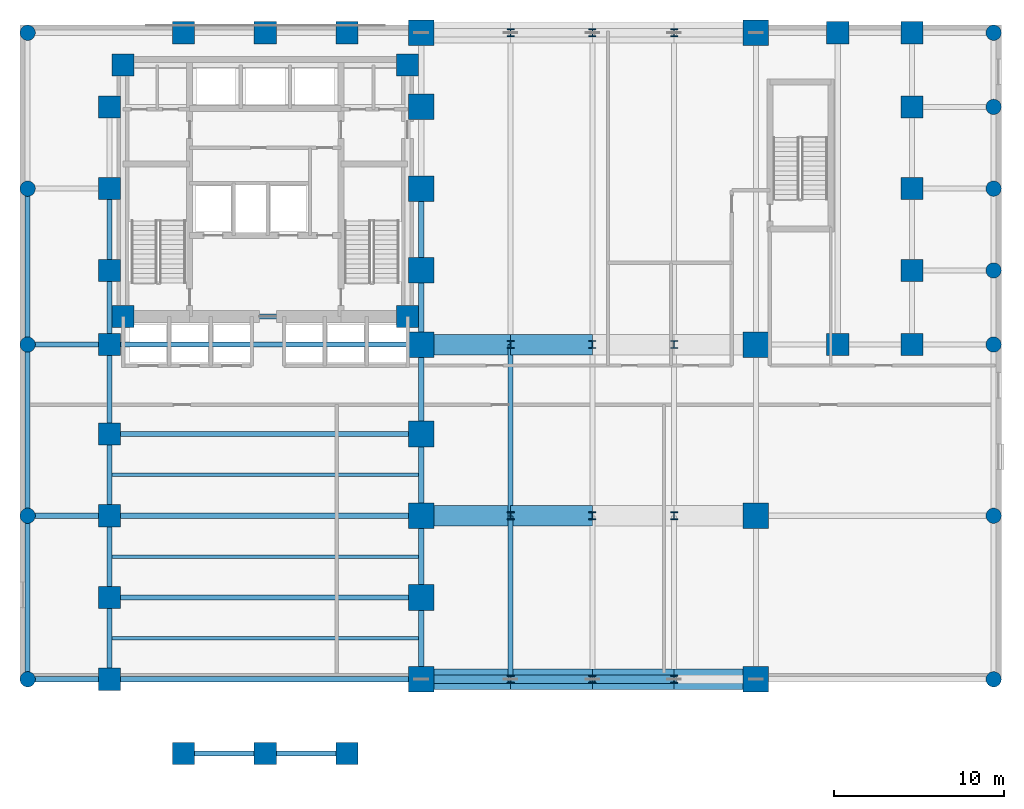
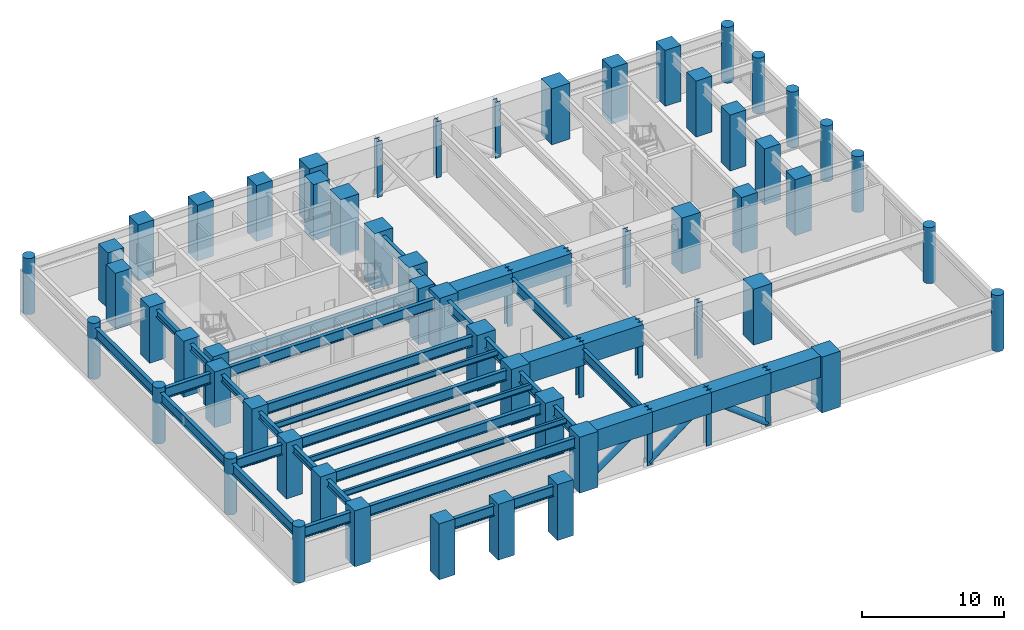
# One storey, part 1 of 8: 62 columns, 39 beams, 3 members.
"""IFC4 building model written with IfcOpenShell, lengths in metres."""

from ifc_helpers import new_model, si_unit, direction, frame, origin, origin_2d, place, context, subcontext, project, spatial, rectangle, circle, hollow_circle, i_section, extrude, material, material_profile, profile_set, type_object, element, save


model = new_model("IFC4")

# Units and contexts
model_context = context("Model", 3, precision=1e-05, world=origin(), true_north=direction((0.0, 1.0)))
body_context = subcontext(model_context, "Body", "Model", "MODEL_VIEW")
ifc_project = project(units=[si_unit("LENGTHUNIT", "METRE"), si_unit("AREAUNIT", "SQUARE_METRE"), si_unit("VOLUMEUNIT", "CUBIC_METRE"), si_unit("PLANEANGLEUNIT", "RADIAN"), si_unit("MASSUNIT", "GRAM", prefix="KILO")], contexts=[model_context])

# Site, building, storey
site_placement = place(None, origin())
site = spatial("IfcSite", under=ifc_project, at=site_placement, CompositionType="ELEMENT")
building_placement = place(site_placement, origin())
building = spatial("IfcBuilding", under=site, at=building_placement, Name="Orvandelia Arch Residences", CompositionType="ELEMENT")
storey_placement = place(building_placement, frame((0.0, 0.0, 14.800048828125)))
storey = spatial("IfcBuildingStorey", under=building, at=storey_placement, Name="L03", CompositionType="ELEMENT", Elevation=14.800048828125)

# Columns
ifc_material_1 = material(Name="Concrete C80/95", Category="concrete")
ifc_material_profile_1 = material_profile(ifc_material_1, rectangle(XDim=1.5, YDim=1.5, at=origin_2d()), Name="Concrete C80/95", Category="concrete")
ifc_profile_set_1 = profile_set([ifc_material_profile_1], Name="Concrete C80/95")
column_type_1 = type_object("IfcColumnType", Name="COL-MEGA-1500", PredefinedType="USERDEFINED", material=ifc_profile_set_1)
for number, where, z_axis, x_axis, name in (
    (1, (23.550048828125, 9.60009765625, 0.0), (0.0, 0.0, 1.0), (1.0, 0.0, 0.0), "Structural Column L03-W-E-96"),
    (2, (23.550048828125, 14.39990234375, 0.0), (0.0, 0.0, 1.0), (1.0, 0.0, 0.0), "Structural Column L03-W-E-144"),
    (3, (23.550048828125, 19.199951171875, 0.0), (0.0, 0.0, 1.0), (1.0, 0.0, 0.0), "Structural Column L03-W-E-192"),
    (4, (23.550048828125, 24.0, 0.0), (0.0, 0.0, 1.0), (1.0, 0.0, 0.0), "Structural Column L03-W-E-240"),
    (5, (23.550048828125, 29.25, 0.0), (0.0, 0.0, 1.0), (1.0, 0.0, 0.0), "Structural Column L03-W-E-292"),
    (6, (23.550048828125, 33.60009765625, 0.0), (0.0, 0.0, 1.0), (1.0, 0.0, 0.0), "Structural Column L03-W-E-336"),
    (7, (23.550048828125, 38.39990234375, 0.0), (0.0, 0.0, 1.0), (1.0, 0.0, 0.0), "Structural Column L03-W-E-384"),
    (8, (23.550048828125, 43.199951171875, 0.0), (0.0, 0.0, 1.0), (1.0, 0.0, 0.0), "Structural Column L03-W-E-432"),
    (9, (23.550048828125, 47.550048828125, 0.0), (0.0, 0.0, 1.0), (1.0, 0.0, 0.0), "Structural Column L03-W-N-235"),
    (10, (43.199951171875, 9.60009765625, 0.0), (0.0, 0.0, 1.0), (1.0, 0.0, 0.0), "Structural Column L03-MPE-96"),
    (11, (43.199951171875, 19.199951171875, 0.0), (0.0, 0.0, 1.0), (1.0, 0.0, 0.0), "Structural Column L03-MPE-192"),
    (12, (43.199951171875, 29.25, 0.0), (0.0, 0.0, 1.0), (1.0, 0.0, 0.0), "Structural Column L03-E-S-432"),
    (13, (43.199951171875, 47.550048828125, 0.0), (0.0, 0.0, 1.0), (1.0, 0.0, 0.0), "Structural Column L03-E-N-432"),
):
    element("IfcColumn", number, at=place(storey_placement, frame(where, z_axis=z_axis, x_axis=x_axis)), inside=storey, type_object=column_type_1, Name=name, ObjectType="PIER COLUMN", PredefinedType="USERDEFINED", context=body_context, shape_type="SweptSolid", body=[
        extrude(rectangle(XDim=1.5, YDim=1.5, at=origin_2d()), origin(), (0.0, 0.0, 1.0), 4.800048828125),
    ])
ifc_material_2 = material(Name="Concrete C60/75", Category="concrete")
ifc_material_profile_2 = material_profile(ifc_material_2, circle(Radius=0.449951171875, at=origin_2d()), Name="Concrete C60/75", Category="concrete")
ifc_profile_set_2 = profile_set([ifc_material_profile_2], Name="Concrete C60/75")
column_type_2 = type_object("IfcColumnType", Name="COL-POD-900C", PredefinedType="COLUMN", material=ifc_profile_set_2)
for number, where, z_axis, x_axis, name in (
    (14, (0.449951171875, 9.60009765625, 0.0), (0.0, 0.0, 1.0), (1.0, 0.0, 0.0), "Structural Column L03-POD-W0-96"),
    (15, (0.449951171875, 19.199951171875, 0.0), (0.0, 0.0, 1.0), (1.0, 0.0, 0.0), "Structural Column L03-POD-W0-192"),
    (16, (0.449951171875, 29.25, 0.0), (0.0, 0.0, 1.0), (1.0, 0.0, 0.0), "Structural Column L03-POD-W0-292"),
    (17, (0.449951171875, 38.39990234375, 0.0), (0.0, 0.0, 1.0), (1.0, 0.0, 0.0), "Structural Column L03-POD-W0-384"),
    (18, (0.449951171875, 47.550048828125, 0.0), (0.0, 0.0, 1.0), (1.0, 0.0, 0.0), "Structural Column L03-POD-W0-475"),
    (19, (57.14990234375, 9.60009765625, 0.0), (0.0, 0.0, 1.0), (1.0, 0.0, 0.0), "Structural Column L03-POD-E0-96"),
    (20, (57.14990234375, 19.199951171875, 0.0), (0.0, 0.0, 1.0), (1.0, 0.0, 0.0), "Structural Column L03-POD-E0-192"),
    (21, (57.14990234375, 29.25, 0.0), (0.0, 0.0, 1.0), (1.0, 0.0, 0.0), "Structural Column L03-POD-E0-292"),
    (22, (57.14990234375, 33.60009765625, 0.0), (0.0, 0.0, 1.0), (1.0, 0.0, 0.0), "Structural Column L03-E-571-336"),
    (23, (57.14990234375, 38.39990234375, 0.0), (0.0, 0.0, 1.0), (1.0, 0.0, 0.0), "Structural Column L03-POD-E0-384"),
    (24, (57.14990234375, 43.199951171875, 0.0), (0.0, 0.0, 1.0), (1.0, 0.0, 0.0), "Structural Column L03-E-571-432"),
    (25, (57.14990234375, 47.550048828125, 0.0), (0.0, 0.0, 1.0), (1.0, 0.0, 0.0), "Structural Column L03-POD-E0-475"),
):
    element("IfcColumn", number, at=place(storey_placement, frame(where, z_axis=z_axis, x_axis=x_axis)), inside=storey, type_object=column_type_2, Name=name, PredefinedType="COLUMN", context=body_context, shape_type="SweptSolid", body=[
        extrude(circle(Radius=0.449951171875, at=origin_2d()), origin(), (0.0, 0.0, 1.0), 4.800048828125),
    ])
ifc_material_profile_3 = material_profile(ifc_material_1, rectangle(XDim=1.300048828125, YDim=1.300048828125, at=origin_2d()), Name="Concrete C80/95", Category="concrete")
ifc_profile_set_3 = profile_set([ifc_material_profile_3], Name="Concrete C80/95")
column_type_3 = type_object("IfcColumnType", Name="COL-TWR-1300", PredefinedType="COLUMN", material=ifc_profile_set_3)
for number, where, z_axis, x_axis, name in (
    (26, (5.25, 9.60009765625, 0.0), (0.0, 0.0, 1.0), (1.0, 0.0, 0.0), "Structural Column L03-W-W-96"),
    (27, (5.25, 14.39990234375, 0.0), (0.0, 0.0, 1.0), (1.0, 0.0, 0.0), "Structural Column L03-W-W-144"),
    (28, (5.25, 19.199951171875, 0.0), (0.0, 0.0, 1.0), (1.0, 0.0, 0.0), "Structural Column L03-W-W-192"),
    (29, (5.25, 24.0, 0.0), (0.0, 0.0, 1.0), (1.0, 0.0, 0.0), "Structural Column L03-W-W-240"),
    (30, (5.25, 29.25, 0.0), (0.0, 0.0, 1.0), (1.0, 0.0, 0.0), "Structural Column L03-W-W-292"),
    (31, (5.25, 33.60009765625, 0.0), (0.0, 0.0, 1.0), (1.0, 0.0, 0.0), "Structural Column L03-W-W-336"),
    (32, (5.25, 38.39990234375, 0.0), (0.0, 0.0, 1.0), (1.0, 0.0, 0.0), "Structural Column L03-W-W-384"),
    (33, (5.25, 43.199951171875, 0.0), (0.0, 0.0, 1.0), (1.0, 0.0, 0.0), "Structural Column L03-W-W-432"),
    (34, (6.050048828125, 30.89990234375, 0.0), (0.0, 0.0, 1.0), (1.0, 0.0, 0.0), "Structural Column L03-CR-SW"),
    (35, (6.050048828125, 45.64990234375, 0.0), (0.0, 0.0, 1.0), (1.0, 0.0, 0.0), "Structural Column L03-CR-NW"),
    (36, (9.60009765625, 5.25, 0.0), (0.0, 0.0, 1.0), (1.0, 0.0, 0.0), "Structural Column L03-W-S-96"),
    (37, (9.60009765625, 47.550048828125, 0.0), (0.0, 0.0, 1.0), (1.0, 0.0, 0.0), "Structural Column L03-W-N-96"),
    (38, (14.39990234375, 5.25, 0.0), (0.0, 0.0, 1.0), (1.0, 0.0, 0.0), "Structural Column L03-W-S-144"),
    (39, (14.39990234375, 47.550048828125, 0.0), (0.0, 0.0, 1.0), (1.0, 0.0, 0.0), "Structural Column L03-W-N-144"),
    (40, (19.199951171875, 5.25, 0.0), (0.0, 0.0, 1.0), (1.0, 0.0, 0.0), "Structural Column L03-W-S-192"),
    (41, (19.199951171875, 47.550048828125, 0.0), (0.0, 0.0, 1.0), (1.0, 0.0, 0.0), "Structural Column L03-W-N-192"),
    (42, (22.75, 30.89990234375, 0.0), (0.0, 0.0, 1.0), (1.0, 0.0, 0.0), "Structural Column L03-CR-SE"),
    (43, (22.75, 45.64990234375, 0.0), (0.0, 0.0, 1.0), (1.0, 0.0, 0.0), "Structural Column L03-CR-NE"),
    (44, (48.0, 29.25, 0.0), (0.0, 0.0, 1.0), (1.0, 0.0, 0.0), "Structural Column L03-E-S-480"),
    (45, (48.0, 47.550048828125, 0.0), (0.0, 0.0, 1.0), (1.0, 0.0, 0.0), "Structural Column L03-E-N-480"),
    (46, (52.35009765625, 29.25, 0.0), (0.0, 0.0, 1.0), (1.0, 0.0, 0.0), "Structural Column L03-E-S-523"),
    (47, (52.35009765625, 33.60009765625, 0.0), (0.0, 0.0, 1.0), (1.0, 0.0, 0.0), "Structural Column L03-E-523-336"),
    (48, (52.35009765625, 38.39990234375, 0.0), (0.0, 0.0, 1.0), (1.0, 0.0, 0.0), "Structural Column L03-E-523-384"),
    (49, (52.35009765625, 43.199951171875, 0.0), (0.0, 0.0, 1.0), (1.0, 0.0, 0.0), "Structural Column L03-E-523-432"),
    (50, (52.35009765625, 47.550048828125, 0.0), (0.0, 0.0, 1.0), (1.0, 0.0, 0.0), "Structural Column L03-E-N-523"),
):
    element("IfcColumn", number, at=place(storey_placement, frame(where, z_axis=z_axis, x_axis=x_axis)), inside=storey, type_object=column_type_3, Name=name, PredefinedType="COLUMN", context=body_context, shape_type="SweptSolid", body=[
        extrude(rectangle(XDim=1.300048828125, YDim=1.300048828125, at=origin_2d()), origin(), (0.0, 0.0, 1.0), 4.800048828125),
    ])
ifc_material_3 = material(Name="Structural Steel HSA650 (650 MPa)", Category="steel")
ifc_material_profile_4 = material_profile(ifc_material_3, i_section(OverallWidth=0.4169921875, OverallDepth=0.4580078125, WebThickness=0.030029296875, FlangeThickness=0.044921875, FilletRadius=0.02197265625, at=origin_2d()), Name="Structural Steel HSA650 (650 MPa)", Category="steel")
ifc_profile_set_4 = profile_set([ifc_material_profile_4], Name="Structural Steel HSA650 (650 MPa)")
column_type_4 = type_object("IfcColumnType", Name="COL-VRD-H458", PredefinedType="COLUMN", material=ifc_profile_set_4)
for number, where, z_axis, x_axis, name in (
    (51, (28.800048828125, 9.60009765625, 0.0), (0.0, 0.0, 1.0), (1.0, 0.0, 0.0), "Structural Column L03-XFR-S-288-96"),
    (52, (28.800048828125, 19.199951171875, 0.0), (0.0, 0.0, 1.0), (1.0, 0.0, 0.0), "Structural Column L03-XFR-S-288-192"),
    (53, (28.800048828125, 29.25, 0.0), (0.0, 0.0, 1.0), (1.0, 0.0, 0.0), "Structural Column L03-E-S-288"),
    (54, (28.800048828125, 47.550048828125, 0.0), (0.0, 0.0, 1.0), (1.0, 0.0, 0.0), "Structural Column L03-E-N-288"),
    (55, (33.60009765625, 9.60009765625, 0.0), (0.0, 0.0, 1.0), (1.0, 0.0, 0.0), "Structural Column L03-XFR-S-336-96"),
    (56, (33.60009765625, 19.199951171875, 0.0), (0.0, 0.0, 1.0), (1.0, 0.0, 0.0), "Structural Column L03-XFR-S-336-192"),
    (57, (33.60009765625, 29.25, 0.0), (0.0, 0.0, 1.0), (1.0, 0.0, 0.0), "Structural Column L03-E-S-336"),
    (58, (33.60009765625, 47.550048828125, 0.0), (0.0, 0.0, 1.0), (1.0, 0.0, 0.0), "Structural Column L03-E-N-336"),
    (59, (38.39990234375, 9.60009765625, 0.0), (0.0, 0.0, 1.0), (1.0, 0.0, 0.0), "Structural Column L03-XFR-S-384-96"),
    (60, (38.39990234375, 19.199951171875, 0.0), (0.0, 0.0, 1.0), (1.0, 0.0, 0.0), "Structural Column L03-XFR-S-384-192"),
    (61, (38.39990234375, 29.25, 0.0), (0.0, 0.0, 1.0), (1.0, 0.0, 0.0), "Structural Column L03-E-S-384"),
    (62, (38.39990234375, 47.550048828125, 0.0), (0.0, 0.0, 1.0), (1.0, 0.0, 0.0), "Structural Column L03-E-N-384"),
):
    element("IfcColumn", number, at=place(storey_placement, frame(where, z_axis=z_axis, x_axis=x_axis)), inside=storey, type_object=column_type_4, Name=name, PredefinedType="COLUMN", context=body_context, shape_type="SweptSolid", body=[
        extrude(i_section(OverallWidth=0.4169921875, OverallDepth=0.4580078125, WebThickness=0.030029296875, FlangeThickness=0.044921875, FilletRadius=0.02197265625, at=origin_2d()), origin(), (0.0, 0.0, 1.0), 4.800048828125),
    ])

# Beams
ifc_material_profile_5 = material_profile(ifc_material_3, i_section(OverallWidth=0.300048828125, OverallDepth=0.89990234375, WebThickness=0.01611328125, FlangeThickness=0.028076171875, FilletRadius=0.028076171875, at=origin_2d()), Name="Structural Steel HSA650 (650 MPa)", Category="steel")
ifc_profile_set_5 = profile_set([ifc_material_profile_5], Name="Structural Steel HSA650 (650 MPa)")
beam_type_1 = type_object("IfcBeamType", Name="BM-GRD-H900", PredefinedType="BEAM", material=ifc_profile_set_5)
beam_1_placement = place(storey_placement, frame((0.449951171875, 9.60009765625, 3.949951171875), z_axis=(0.0, 1.0, 0.0), x_axis=(-1.0, 0.0, 0.0)))
element("IfcBeam", 63, at=beam_1_placement, inside=storey, type_object=beam_type_1, Name="Structural Frame Beam L03-NS-001", PredefinedType="BEAM", context=body_context, shape_type="SweptSolid", body=[
    extrude(i_section(OverallWidth=0.300048828125, OverallDepth=0.89990234375, WebThickness=0.01611328125, FlangeThickness=0.028076171875, FilletRadius=0.028076171875, at=origin_2d()), origin(), (0.0, 0.0, 1.0), 9.599853515625),
])
beam_2_placement = place(storey_placement, frame((0.449951171875, 19.199951171875, 3.949951171875), z_axis=(0.0, 1.0, 0.0), x_axis=(-1.0, 0.0, 0.0)))
element("IfcBeam", 64, at=beam_2_placement, inside=storey, type_object=beam_type_1, Name="Structural Frame Beam L03-NS-002", PredefinedType="BEAM", context=body_context, shape_type="SweptSolid", body=[
    extrude(i_section(OverallWidth=0.300048828125, OverallDepth=0.89990234375, WebThickness=0.01611328125, FlangeThickness=0.028076171875, FilletRadius=0.028076171875, at=origin_2d()), origin(), (0.0, 0.0, 1.0), 10.050048828125),
])
beam_3_placement = place(storey_placement, frame((0.449951171875, 29.25, 3.949951171875), z_axis=(0.0, 1.0, 0.0), x_axis=(-1.0, 0.0, 0.0)))
element("IfcBeam", 65, at=beam_3_placement, inside=storey, type_object=beam_type_1, Name="Structural Frame Beam L03-NS-003", PredefinedType="BEAM", context=body_context, shape_type="SweptSolid", body=[
    extrude(i_section(OverallWidth=0.300048828125, OverallDepth=0.89990234375, WebThickness=0.01611328125, FlangeThickness=0.028076171875, FilletRadius=0.028076171875, at=origin_2d()), origin(), (0.0, 0.0, 1.0), 9.14990234375),
])
beam_4_placement = place(storey_placement, frame((23.550048828125, 9.60009765625, 3.949951171875), z_axis=(0.0, 1.0, 0.0), x_axis=(-1.0, 0.0, 0.0)))
element("IfcBeam", 66, at=beam_4_placement, inside=storey, type_object=beam_type_1, Name="Structural Frame Beam L03-NS-014", PredefinedType="BEAM", context=body_context, shape_type="SweptSolid", body=[
    extrude(i_section(OverallWidth=0.300048828125, OverallDepth=0.89990234375, WebThickness=0.01611328125, FlangeThickness=0.028076171875, FilletRadius=0.028076171875, at=origin_2d()), origin(), (0.0, 0.0, 1.0), 4.7998046875),
])
for number, where, z_axis, x_axis, name in (
    (67, (23.550048828125, 14.39990234375, 3.949951171875), (0.0, 1.0, 0.0), (-1.0, 0.0, 0.0), "Structural Frame Beam L03-NS-015"),
    (68, (23.550048828125, 19.199951171875, 3.949951171875), (0.0, 1.0, 0.0), (-1.0, 0.0, 0.0), "Structural Frame Beam L03-NS-016"),
):
    element("IfcBeam", number, at=place(storey_placement, frame(where, z_axis=z_axis, x_axis=x_axis)), inside=storey, type_object=beam_type_1, Name=name, PredefinedType="BEAM", context=body_context, shape_type="SweptSolid", body=[
        extrude(i_section(OverallWidth=0.300048828125, OverallDepth=0.89990234375, WebThickness=0.01611328125, FlangeThickness=0.028076171875, FilletRadius=0.028076171875, at=origin_2d()), origin(), (0.0, 0.0, 1.0), 4.800048828125),
    ])
beam_5_placement = place(storey_placement, frame((23.550048828125, 24.0, 3.949951171875), z_axis=(0.0, 1.0, 0.0), x_axis=(-1.0, 0.0, 0.0)))
element("IfcBeam", 69, at=beam_5_placement, inside=storey, type_object=beam_type_1, Name="Structural Frame Beam L03-NS-017", PredefinedType="BEAM", context=body_context, shape_type="SweptSolid", body=[
    extrude(i_section(OverallWidth=0.300048828125, OverallDepth=0.89990234375, WebThickness=0.01611328125, FlangeThickness=0.028076171875, FilletRadius=0.028076171875, at=origin_2d()), origin(), (0.0, 0.0, 1.0), 5.25),
])
beam_6_placement = place(storey_placement, frame((23.550048828125, 29.25, 3.949951171875), z_axis=(0.0, 1.0, 0.0), x_axis=(-1.0, 0.0, 0.0)))
element("IfcBeam", 70, at=beam_6_placement, inside=storey, type_object=beam_type_1, Name="Structural Frame Beam L03-NS-018", PredefinedType="BEAM", context=body_context, shape_type="SweptSolid", body=[
    extrude(i_section(OverallWidth=0.300048828125, OverallDepth=0.89990234375, WebThickness=0.01611328125, FlangeThickness=0.028076171875, FilletRadius=0.028076171875, at=origin_2d()), origin(), (0.0, 0.0, 1.0), 4.35009765625),
])
beam_7_placement = place(storey_placement, frame((23.550048828125, 33.60009765625, 3.949951171875), z_axis=(0.0, 1.0, 0.0), x_axis=(-1.0, 0.0, 0.0)))
element("IfcBeam", 71, at=beam_7_placement, inside=storey, type_object=beam_type_1, Name="Structural Frame Beam L03-NS-019", PredefinedType="BEAM", context=body_context, shape_type="SweptSolid", body=[
    extrude(i_section(OverallWidth=0.300048828125, OverallDepth=0.89990234375, WebThickness=0.01611328125, FlangeThickness=0.028076171875, FilletRadius=0.028076171875, at=origin_2d()), origin(), (0.0, 0.0, 1.0), 4.7998046875),
])
beam_8_placement = place(storey_placement, frame((28.800048828125, 9.60009765625, 3.949951171875), z_axis=(0.0, 1.0, 0.0), x_axis=(-1.0, 0.0, 0.0)))
element("IfcBeam", 72, at=beam_8_placement, inside=storey, type_object=beam_type_1, Name="Structural Frame Beam L03-NS-022", PredefinedType="BEAM", context=body_context, shape_type="SweptSolid", body=[
    extrude(i_section(OverallWidth=0.300048828125, OverallDepth=0.89990234375, WebThickness=0.01611328125, FlangeThickness=0.028076171875, FilletRadius=0.028076171875, at=origin_2d()), origin(), (0.0, 0.0, 1.0), 9.599853515625),
])
beam_9_placement = place(storey_placement, frame((28.800048828125, 19.199951171875, 3.949951171875), z_axis=(0.0, 1.0, 0.0), x_axis=(-1.0, 0.0, 0.0)))
element("IfcBeam", 73, at=beam_9_placement, inside=storey, type_object=beam_type_1, Name="Structural Frame Beam L03-NS-023", PredefinedType="BEAM", context=body_context, shape_type="SweptSolid", body=[
    extrude(i_section(OverallWidth=0.300048828125, OverallDepth=0.89990234375, WebThickness=0.01611328125, FlangeThickness=0.028076171875, FilletRadius=0.028076171875, at=origin_2d()), origin(), (0.0, 0.0, 1.0), 10.050048828125),
])
beam_10_placement = place(storey_placement, frame((9.60009765625, 5.25, 3.949951171875), z_axis=(1.0, 0.0, 0.0), x_axis=(0.0, 1.0, 0.0)))
element("IfcBeam", 74, at=beam_10_placement, inside=storey, type_object=beam_type_1, Name="Structural Frame Girder L03-EW-045", PredefinedType="BEAM", context=body_context, shape_type="SweptSolid", body=[
    extrude(i_section(OverallWidth=0.300048828125, OverallDepth=0.89990234375, WebThickness=0.01611328125, FlangeThickness=0.028076171875, FilletRadius=0.028076171875, at=origin_2d()), origin(), (0.0, 0.0, 1.0), 4.7998046875),
])
for number, where, z_axis, x_axis, name in (
    (75, (14.39990234375, 5.25, 3.949951171875), (1.0, 0.0, 0.0), (0.0, 1.0, 0.0), "Structural Frame Girder L03-EW-046"),
    (76, (0.449951171875, 9.60009765625, 3.949951171875), (1.0, 0.0, 0.0), (0.0, 1.0, 0.0), "Structural Frame Girder L03-EW-047"),
):
    element("IfcBeam", number, at=place(storey_placement, frame(where, z_axis=z_axis, x_axis=x_axis)), inside=storey, type_object=beam_type_1, Name=name, PredefinedType="BEAM", context=body_context, shape_type="SweptSolid", body=[
        extrude(i_section(OverallWidth=0.300048828125, OverallDepth=0.89990234375, WebThickness=0.01611328125, FlangeThickness=0.028076171875, FilletRadius=0.028076171875, at=origin_2d()), origin(), (0.0, 0.0, 1.0), 4.800048828125),
    ])
for number, where, z_axis, x_axis, name in (
    (77, (5.25, 9.60009765625, 3.949951171875), (1.0, 0.0, 0.0), (0.0, 1.0, 0.0), "Structural Frame Girder L03-EW-048"),
    (78, (5.25, 14.39990234375, 3.949951171875), (1.0, 0.0, 0.0), (0.0, 1.0, 0.0), "Structural Frame Girder L03-EW-054"),
):
    element("IfcBeam", number, at=place(storey_placement, frame(where, z_axis=z_axis, x_axis=x_axis)), inside=storey, type_object=beam_type_1, Name=name, PredefinedType="BEAM", context=body_context, shape_type="SweptSolid", body=[
        extrude(i_section(OverallWidth=0.300048828125, OverallDepth=0.89990234375, WebThickness=0.01611328125, FlangeThickness=0.028076171875, FilletRadius=0.028076171875, at=origin_2d()), origin(), (0.0, 0.0, 1.0), 18.300048828125),
    ])
beam_11_placement = place(storey_placement, frame((0.449951171875, 19.199951171875, 3.949951171875), z_axis=(1.0, 0.0, 0.0), x_axis=(0.0, 1.0, 0.0)))
element("IfcBeam", 79, at=beam_11_placement, inside=storey, type_object=beam_type_1, Name="Structural Frame Girder L03-EW-055", PredefinedType="BEAM", context=body_context, shape_type="SweptSolid", body=[
    extrude(i_section(OverallWidth=0.300048828125, OverallDepth=0.89990234375, WebThickness=0.01611328125, FlangeThickness=0.028076171875, FilletRadius=0.028076171875, at=origin_2d()), origin(), (0.0, 0.0, 1.0), 4.800048828125),
])
for number, where, z_axis, x_axis, name in (
    (80, (5.25, 19.199951171875, 3.949951171875), (1.0, 0.0, 0.0), (0.0, 1.0, 0.0), "Structural Frame Girder L03-EW-056"),
    (81, (5.25, 24.0, 3.949951171875), (1.0, 0.0, 0.0), (0.0, 1.0, 0.0), "Structural Frame Girder L03-EW-062"),
):
    element("IfcBeam", number, at=place(storey_placement, frame(where, z_axis=z_axis, x_axis=x_axis)), inside=storey, type_object=beam_type_1, Name=name, PredefinedType="BEAM", context=body_context, shape_type="SweptSolid", body=[
        extrude(i_section(OverallWidth=0.300048828125, OverallDepth=0.89990234375, WebThickness=0.01611328125, FlangeThickness=0.028076171875, FilletRadius=0.028076171875, at=origin_2d()), origin(), (0.0, 0.0, 1.0), 18.300048828125),
    ])
beam_12_placement = place(storey_placement, frame((0.449951171875, 29.25, 3.949951171875), z_axis=(1.0, 0.0, 0.0), x_axis=(0.0, 1.0, 0.0)))
element("IfcBeam", 82, at=beam_12_placement, inside=storey, type_object=beam_type_1, Name="Structural Frame Girder L03-EW-063", PredefinedType="BEAM", context=body_context, shape_type="SweptSolid", body=[
    extrude(i_section(OverallWidth=0.300048828125, OverallDepth=0.89990234375, WebThickness=0.01611328125, FlangeThickness=0.028076171875, FilletRadius=0.028076171875, at=origin_2d()), origin(), (0.0, 0.0, 1.0), 4.800048828125),
])
beam_13_placement = place(storey_placement, frame((5.25, 29.25, 3.949951171875), z_axis=(1.0, 0.0, 0.0), x_axis=(0.0, 1.0, 0.0)))
element("IfcBeam", 83, at=beam_13_placement, inside=storey, type_object=beam_type_1, Name="Structural Frame Girder L03-EW-064", PredefinedType="BEAM", context=body_context, shape_type="SweptSolid", body=[
    extrude(i_section(OverallWidth=0.300048828125, OverallDepth=0.89990234375, WebThickness=0.01611328125, FlangeThickness=0.028076171875, FilletRadius=0.028076171875, at=origin_2d()), origin(), (0.0, 0.0, 1.0), 18.300048828125),
])
beam_14_placement = place(storey_placement, frame((6.050048828125, 30.89990234375, 3.949951171875), z_axis=(1.0, 0.0, 0.0), x_axis=(0.0, 1.0, 0.0)))
element("IfcBeam", 84, at=beam_14_placement, inside=storey, type_object=beam_type_1, Name="Structural Frame Girder L03-EW-072", PredefinedType="BEAM", context=body_context, shape_type="SweptSolid", body=[
    extrude(i_section(OverallWidth=0.300048828125, OverallDepth=0.89990234375, WebThickness=0.01611328125, FlangeThickness=0.028076171875, FilletRadius=0.028076171875, at=origin_2d()), origin(), (0.0, 0.0, 1.0), 16.699951171875),
])
ifc_material_4 = material(Name="Structural Steel SM355 (355 MPa)", Category="steel")
ifc_material_profile_6 = material_profile(ifc_material_4, i_section(OverallWidth=0.199951171875, OverallDepth=0.5, WebThickness=0.010009765625, FlangeThickness=0.01611328125, FilletRadius=0.02001953125, at=origin_2d()), Name="Structural Steel SM355 (355 MPa)", Category="steel")
ifc_profile_set_6 = profile_set([ifc_material_profile_6], Name="Structural Steel SM355 (355 MPa)")
beam_type_2 = type_object("IfcBeamType", Name="BM-SEC-H500", PredefinedType="BEAM", material=ifc_profile_set_6)
for number, where, z_axis, x_axis, name in (
    (85, (5.25, 12.0, 4.14990234375), (1.0, 0.0, 0.0), (0.0, 1.0, 0.0), "Podium Secondary Steel Beam L03-B1"),
    (86, (5.25, 16.800048828125, 4.14990234375), (1.0, 0.0, 0.0), (0.0, 1.0, 0.0), "Podium Secondary Steel Beam L03-B2"),
    (87, (5.25, 21.60009765625, 4.14990234375), (1.0, 0.0, 0.0), (0.0, 1.0, 0.0), "Podium Secondary Steel Beam L03-B3"),
):
    element("IfcBeam", number, at=place(storey_placement, frame(where, z_axis=z_axis, x_axis=x_axis)), inside=storey, type_object=beam_type_2, Name=name, PredefinedType="BEAM", context=body_context, shape_type="SweptSolid", body=[
        extrude(i_section(OverallWidth=0.199951171875, OverallDepth=0.5, WebThickness=0.010009765625, FlangeThickness=0.01611328125, FilletRadius=0.02001953125, at=origin_2d()), origin(), (0.0, 0.0, 1.0), 18.300048828125),
    ])
ifc_material_profile_7 = material_profile(ifc_material_4, i_section(OverallWidth=0.300048828125, OverallDepth=0.587890625, WebThickness=0.011962890625, FlangeThickness=0.02001953125, FilletRadius=0.02197265625, at=origin_2d()), Name="Structural Steel SM355 (355 MPa)", Category="steel")
ifc_profile_set_7 = profile_set([ifc_material_profile_7], Name="Structural Steel SM355 (355 MPa)")
beam_type_3 = type_object("IfcBeamType", Name="BM-SPN-H588", PredefinedType="SPANDREL", material=ifc_profile_set_7)
beam_15_placement = place(storey_placement, frame((5.25, 9.60009765625, 4.10595703125), z_axis=(0.0, 1.0, 0.0), x_axis=(-1.0, 0.0, 0.0)))
element("IfcBeam", 88, at=beam_15_placement, inside=storey, type_object=beam_type_3, Name="Structural Frame Beam L03-NS-005", PredefinedType="SPANDREL", context=body_context, shape_type="SweptSolid", body=[
    extrude(i_section(OverallWidth=0.300048828125, OverallDepth=0.587890625, WebThickness=0.011962890625, FlangeThickness=0.02001953125, FilletRadius=0.02197265625, at=origin_2d()), origin(), (0.0, 0.0, 1.0), 4.7998046875),
])
for number, where, z_axis, x_axis, name in (
    (89, (5.25, 14.39990234375, 4.10595703125), (0.0, 1.0, 0.0), (-1.0, 0.0, 0.0), "Structural Frame Beam L03-NS-006"),
    (90, (5.25, 19.199951171875, 4.10595703125), (0.0, 1.0, 0.0), (-1.0, 0.0, 0.0), "Structural Frame Beam L03-NS-007"),
):
    element("IfcBeam", number, at=place(storey_placement, frame(where, z_axis=z_axis, x_axis=x_axis)), inside=storey, type_object=beam_type_3, Name=name, PredefinedType="SPANDREL", context=body_context, shape_type="SweptSolid", body=[
        extrude(i_section(OverallWidth=0.300048828125, OverallDepth=0.587890625, WebThickness=0.011962890625, FlangeThickness=0.02001953125, FilletRadius=0.02197265625, at=origin_2d()), origin(), (0.0, 0.0, 1.0), 4.800048828125),
    ])
beam_16_placement = place(storey_placement, frame((5.25, 24.0, 4.10595703125), z_axis=(0.0, 1.0, 0.0), x_axis=(-1.0, 0.0, 0.0)))
element("IfcBeam", 91, at=beam_16_placement, inside=storey, type_object=beam_type_3, Name="Structural Frame Beam L03-NS-008", PredefinedType="SPANDREL", context=body_context, shape_type="SweptSolid", body=[
    extrude(i_section(OverallWidth=0.300048828125, OverallDepth=0.587890625, WebThickness=0.011962890625, FlangeThickness=0.02001953125, FilletRadius=0.02197265625, at=origin_2d()), origin(), (0.0, 0.0, 1.0), 5.25),
])
beam_17_placement = place(storey_placement, frame((5.25, 29.25, 4.10595703125), z_axis=(0.0, 1.0, 0.0), x_axis=(-1.0, 0.0, 0.0)))
element("IfcBeam", 92, at=beam_17_placement, inside=storey, type_object=beam_type_3, Name="Structural Frame Beam L03-NS-009", PredefinedType="SPANDREL", context=body_context, shape_type="SweptSolid", body=[
    extrude(i_section(OverallWidth=0.300048828125, OverallDepth=0.587890625, WebThickness=0.011962890625, FlangeThickness=0.02001953125, FilletRadius=0.02197265625, at=origin_2d()), origin(), (0.0, 0.0, 1.0), 4.35009765625),
])
beam_18_placement = place(storey_placement, frame((5.25, 33.60009765625, 4.10595703125), z_axis=(0.0, 1.0, 0.0), x_axis=(-1.0, 0.0, 0.0)))
element("IfcBeam", 93, at=beam_18_placement, inside=storey, type_object=beam_type_3, Name="Structural Frame Beam L03-NS-010", PredefinedType="SPANDREL", context=body_context, shape_type="SweptSolid", body=[
    extrude(i_section(OverallWidth=0.300048828125, OverallDepth=0.587890625, WebThickness=0.011962890625, FlangeThickness=0.02001953125, FilletRadius=0.02197265625, at=origin_2d()), origin(), (0.0, 0.0, 1.0), 4.7998046875),
])

# Members
ifc_material_profile_8 = material_profile(ifc_material_3, hollow_circle(Radius=0.25390625, WallThickness=0.02197265625, at=origin_2d()), Name="Structural Steel HSA650 (650 MPa)", Category="steel")
ifc_profile_set_8 = profile_set([ifc_material_profile_8], Name="Structural Steel HSA650 (650 MPa)")
member_type = type_object("IfcMemberType", Name="MBR-ARCH-DIAG", PredefinedType="BRACE", material=ifc_profile_set_8)
member_1_placement = place(storey_placement, frame((23.550048828125, 9.60009765625, 0.199951171875), z_axis=(0.817402701849, 0.0, 0.576066682781), x_axis=(0.0, 1.0, 0.0)))
element("IfcMember", 94, at=member_1_placement, inside=storey, type_object=member_type, Name="Arch Transfer Truss Diagonal ARD1", PredefinedType="BRACE", context=body_context, shape_type="SweptSolid", body=[
    extrude(hollow_circle(Radius=0.25390625, WallThickness=0.02197265625, at=origin_2d()), origin(), (0.0, 0.0, 1.0), 6.4228515625),
])
member_2_placement = place(storey_placement, frame((28.800048828125, 9.60009765625, 0.199951171875), z_axis=(0.79201709571, 0.0, 0.610498910812), x_axis=(0.0, 1.0, 0.0)))
element("IfcMember", 95, at=member_2_placement, inside=storey, type_object=member_type, Name="Arch Transfer Truss Diagonal ARD1", PredefinedType="BRACE", context=body_context, shape_type="SweptSolid", body=[
    extrude(hollow_circle(Radius=0.25390625, WallThickness=0.02197265625, at=origin_2d()), origin(), (0.0, 0.0, 1.0), 6.060546875),
])
member_3_placement = place(storey_placement, frame((38.39990234375, 9.60009765625, 0.199951171875), z_axis=(-0.792002080911, 0.0, 0.610518389431), x_axis=(0.0, -1.0, 0.0)))
element("IfcMember", 96, at=member_3_placement, inside=storey, type_object=member_type, Name="Arch Transfer Truss Diagonal ARD1", PredefinedType="BRACE", context=body_context, shape_type="SweptSolid", body=[
    extrude(hollow_circle(Radius=0.25390625, WallThickness=0.02197265625, at=origin_2d()), origin(), (0.0, 0.0, 1.0), 6.060302734375),
])

# Beams
ifc_material_profile_9 = material_profile(ifc_material_1, rectangle(XDim=1.199951171875, YDim=1.800048828125, at=origin_2d()), Name="Concrete C80/95", Category="concrete")
ifc_profile_set_9 = profile_set([ifc_material_profile_9], Name="Concrete C80/95")
beam_type_4 = type_object("IfcBeamType", Name="TG-ARCH-1200x1800", PredefinedType="USERDEFINED", material=ifc_profile_set_9)
beam_19_placement = place(storey_placement, frame((23.550048828125, 9.60009765625, 3.89990234375), z_axis=(1.0, 0.0, 0.0), x_axis=(0.0, 1.0, 0.0)))
element("IfcBeam", 97, at=beam_19_placement, inside=storey, type_object=beam_type_4, Name="Arch Coupled Transfer Girder L03", ObjectType="TRANSFER GIRDER", PredefinedType="USERDEFINED", context=body_context, shape_type="SweptSolid", body=[
    extrude(rectangle(XDim=1.199951171875, YDim=1.800048828125, at=origin_2d()), origin(), (0.0, 0.0, 1.0), 5.25),
])
beam_20_placement = place(storey_placement, frame((28.800048828125, 9.60009765625, 3.89990234375), z_axis=(1.0, 0.0, 0.0), x_axis=(0.0, 1.0, 0.0)))
element("IfcBeam", 98, at=beam_20_placement, inside=storey, type_object=beam_type_4, Name="Arch Coupled Transfer Girder L03", ObjectType="TRANSFER GIRDER", PredefinedType="USERDEFINED", context=body_context, shape_type="SweptSolid", body=[
    extrude(rectangle(XDim=1.199951171875, YDim=1.800048828125, at=origin_2d()), origin(), (0.0, 0.0, 1.0), 4.800048828125),
])
beam_21_placement = place(storey_placement, frame((33.60009765625, 9.60009765625, 3.89990234375), z_axis=(1.0, 0.0, 0.0), x_axis=(0.0, 1.0, 0.0)))
element("IfcBeam", 99, at=beam_21_placement, inside=storey, type_object=beam_type_4, Name="Arch Coupled Transfer Girder L03", ObjectType="TRANSFER GIRDER", PredefinedType="USERDEFINED", context=body_context, shape_type="SweptSolid", body=[
    extrude(rectangle(XDim=1.199951171875, YDim=1.800048828125, at=origin_2d()), origin(), (0.0, 0.0, 1.0), 4.7998046875),
])
beam_22_placement = place(storey_placement, frame((38.39990234375, 9.60009765625, 3.89990234375), z_axis=(1.0, 0.0, 0.0), x_axis=(0.0, 1.0, 0.0)))
element("IfcBeam", 100, at=beam_22_placement, inside=storey, type_object=beam_type_4, Name="Arch Coupled Transfer Girder L03", ObjectType="TRANSFER GIRDER", PredefinedType="USERDEFINED", context=body_context, shape_type="SweptSolid", body=[
    extrude(rectangle(XDim=1.199951171875, YDim=1.800048828125, at=origin_2d()), origin(), (0.0, 0.0, 1.0), 4.800048828125),
])
beam_23_placement = place(storey_placement, frame((23.550048828125, 19.199951171875, 3.89990234375), z_axis=(1.0, 0.0, 0.0), x_axis=(0.0, 1.0, 0.0)))
element("IfcBeam", 101, at=beam_23_placement, inside=storey, type_object=beam_type_4, Name="Arch Coupled Transfer Girder L03", ObjectType="TRANSFER GIRDER", PredefinedType="USERDEFINED", context=body_context, shape_type="SweptSolid", body=[
    extrude(rectangle(XDim=1.199951171875, YDim=1.800048828125, at=origin_2d()), origin(), (0.0, 0.0, 1.0), 5.25),
])
beam_24_placement = place(storey_placement, frame((28.800048828125, 19.199951171875, 3.89990234375), z_axis=(1.0, 0.0, 0.0), x_axis=(0.0, 1.0, 0.0)))
element("IfcBeam", 102, at=beam_24_placement, inside=storey, type_object=beam_type_4, Name="Arch Coupled Transfer Girder L03", ObjectType="TRANSFER GIRDER", PredefinedType="USERDEFINED", context=body_context, shape_type="SweptSolid", body=[
    extrude(rectangle(XDim=1.199951171875, YDim=1.800048828125, at=origin_2d()), origin(), (0.0, 0.0, 1.0), 4.800048828125),
])
beam_25_placement = place(storey_placement, frame((23.550048828125, 29.25, 3.89990234375), z_axis=(1.0, 0.0, 0.0), x_axis=(0.0, 1.0, 0.0)))
element("IfcBeam", 103, at=beam_25_placement, inside=storey, type_object=beam_type_4, Name="Arch Coupled Transfer Girder L03", ObjectType="TRANSFER GIRDER", PredefinedType="USERDEFINED", context=body_context, shape_type="SweptSolid", body=[
    extrude(rectangle(XDim=1.199951171875, YDim=1.800048828125, at=origin_2d()), origin(), (0.0, 0.0, 1.0), 5.25),
])
beam_26_placement = place(storey_placement, frame((28.800048828125, 29.25, 3.89990234375), z_axis=(1.0, 0.0, 0.0), x_axis=(0.0, 1.0, 0.0)))
element("IfcBeam", 104, at=beam_26_placement, inside=storey, type_object=beam_type_4, Name="Arch Coupled Transfer Girder L03", ObjectType="TRANSFER GIRDER", PredefinedType="USERDEFINED", context=body_context, shape_type="SweptSolid", body=[
    extrude(rectangle(XDim=1.199951171875, YDim=1.800048828125, at=origin_2d()), origin(), (0.0, 0.0, 1.0), 4.800048828125),
])

save(model, "model.ifc")
